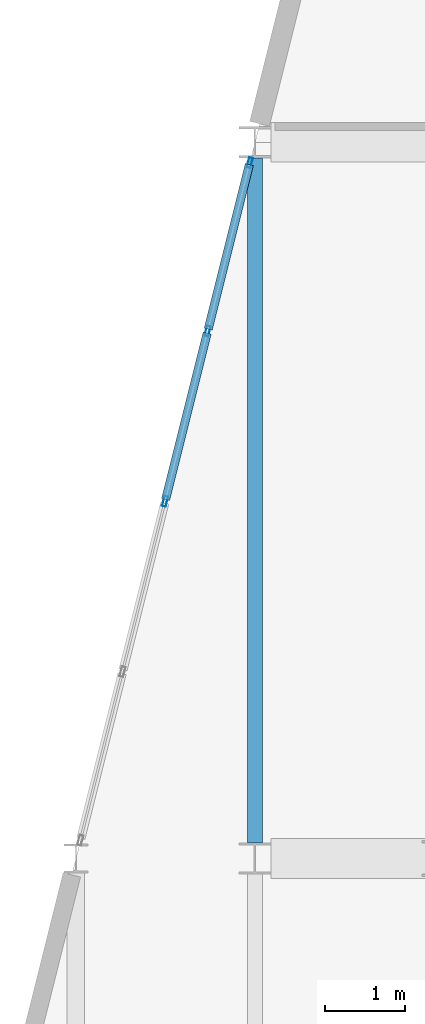
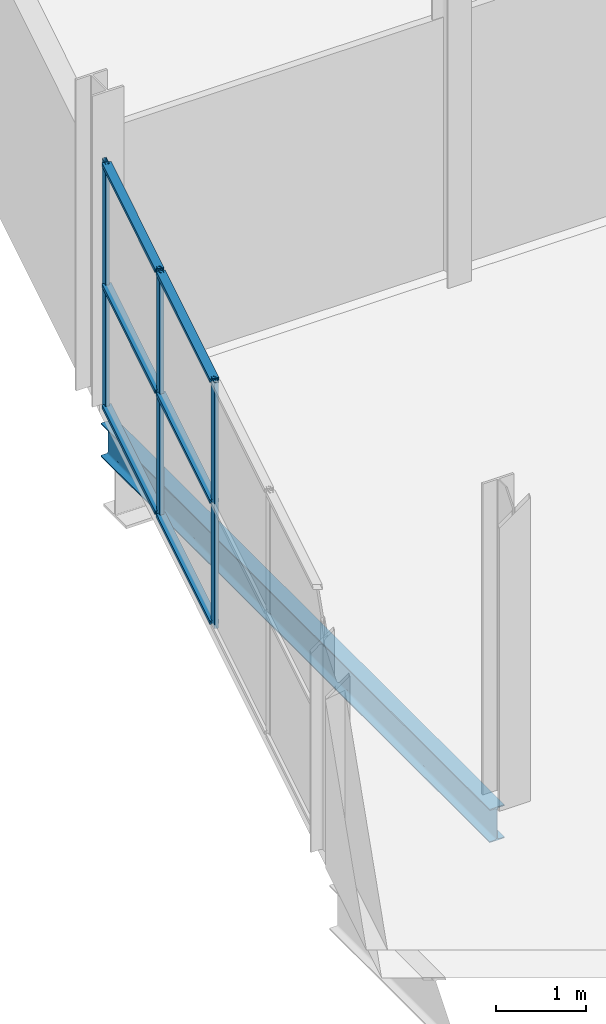
# One storey, part 58 of 135: 9 members, 1 beam, 1 element without a shape of its own.
"""IFC4 building model written with IfcOpenShell, lengths in metres."""

from ifc_helpers import new_model, si_unit, direction, frame, origin, origin_2d, place, context, subcontext, project, spatial, hollow_rectangle, i_section, extrude, material, layer, layer_set, material_profile, profile_set, type_object, element, aggregate, save


model = new_model("IFC4")

# Units and contexts
model_context = context("Model", 3, precision=1e-05, world=origin(), true_north=direction((0.0, 1.0)))
body_context = subcontext(model_context, "Body", "Model", "MODEL_VIEW")
ifc_project = project(units=[si_unit("LENGTHUNIT", "METRE"), si_unit("AREAUNIT", "SQUARE_METRE"), si_unit("VOLUMEUNIT", "CUBIC_METRE"), si_unit("PLANEANGLEUNIT", "RADIAN"), si_unit("MASSUNIT", "GRAM", prefix="KILO")], contexts=[model_context])

# Site, building, storey
site_placement = place(None, origin())
site = spatial("IfcSite", under=ifc_project, at=site_placement, CompositionType="ELEMENT")
building_placement = place(site_placement, origin())
building = spatial("IfcBuilding", under=site, at=building_placement, Name="Deido Ridge Mobility Hub", CompositionType="ELEMENT")
storey_placement = place(building_placement, frame((0.0, 0.0, 4.199951171875)))
storey = spatial("IfcBuildingStorey", under=building, at=storey_placement, Name="L01", CompositionType="ELEMENT", Elevation=4.199951171875)

# Beam
ifc_material_1 = material(Name="Steel S355J2 EN 10025-2", Category="steel")
ifc_material_profile_1 = material_profile(ifc_material_1, i_section(OverallWidth=0.18994140625, OverallDepth=0.449951171875, WebThickness=0.009521484375, FlangeThickness=0.0146484375, FilletRadius=0.02099609375, at=origin_2d()), Name="IPE 450")
ifc_profile_set_1 = profile_set([ifc_material_profile_1], Name="Steel S355J2 EN 10025-2")
beam_type = type_object("IfcBeamType", Name="BM-IPE450", PredefinedType="BEAM", material=ifc_profile_set_1)
beam_placement = place(storey_placement, frame((126.0, 27.196533203125, -0.474853515625), z_axis=(0.0, 1.0, 0.0), x_axis=(-1.0, 0.0, 0.0)))
element("IfcBeam", 1, at=beam_placement, inside=storey, type_object=beam_type, Name="Floor beam B4", PredefinedType="BEAM", context=body_context, shape_type="SweptSolid", body=[
    extrude(i_section(OverallWidth=0.18994140625, OverallDepth=0.449951171875, WebThickness=0.009521484375, FlangeThickness=0.0146484375, FilletRadius=0.02099609375, at=origin_2d()), origin(), (0.0, 0.0, 1.0), 8.60693359375),
])

# Curtain wall, members
ifc_material_2 = material(Name="Anodised aluminium EN AW-6063 T6", Category="aluminium")
ifc_layer = layer(ifc_material_2, 0.179931640625, Name="Anodised aluminium EN AW-6063 T6")
ifc_layer_set = layer_set([ifc_layer], Name="Anodised aluminium EN AW-6063 T6")
curtain_wall_type = type_object("IfcCurtainWallType", Name="CW-UF-2", PredefinedType="USERDEFINED", material=ifc_layer_set)
curtain_wall_placement = place(storey_placement, origin())
curtain_wall = element("IfcCurtainWall", 2, at=curtain_wall_placement, inside=storey, type_object=curtain_wall_type, Name="Unitised curtain wall CW2", ObjectType="UNITISED FACADE", PredefinedType="USERDEFINED")
ifc_material_profile_2 = material_profile(ifc_material_2, hollow_rectangle(XDim=0.050048828125, YDim=0.1298828125, WallThickness=0.00390625, at=origin_2d()), Name="RHS 50x130x4")
ifc_profile_set_2 = profile_set([ifc_material_profile_2], Name="Anodised aluminium EN AW-6063 T6")
member_type_1 = type_object("IfcMemberType", Name="MEM-MUL-50X130", PredefinedType="MULLION", material=ifc_profile_set_2)
member_1_placement = place(storey_placement, frame((124.87158203125, 31.486328125, 0.0), z_axis=(0.0, 0.0, 1.0), x_axis=(-0.970143832947, 0.242530293767, 0.0)))
member_1 = element("IfcMember", 3, at=member_1_placement, type_object=member_type_1, Name="CW2 mullion 3", PredefinedType="MULLION", context=body_context, shape_type="SweptSolid", body=[
    extrude(hollow_rectangle(XDim=0.050048828125, YDim=0.1298828125, WallThickness=0.00390625, at=origin_2d()), origin(), (0.0, 0.0, 1.0), 3.320068359375),
])
member_2_placement = place(storey_placement, frame((125.40673828125, 33.627197265625, 0.0), z_axis=(0.0, 0.0, 1.0), x_axis=(-0.970143832947, 0.242530293767, 0.0)))
member_2 = element("IfcMember", 4, at=member_2_placement, type_object=member_type_1, Name="CW2 mullion 4", PredefinedType="MULLION", context=body_context, shape_type="SweptSolid", body=[
    extrude(hollow_rectangle(XDim=0.050048828125, YDim=0.1298828125, WallThickness=0.00390625, at=origin_2d()), origin(), (0.0, 0.0, 1.0), 3.320068359375),
])
member_3_placement = place(storey_placement, frame((125.93603515625, 35.743896484375, 0.0), z_axis=(0.0, 0.0, 1.0), x_axis=(-0.970143832947, 0.242530293767, 0.0)))
member_3 = element("IfcMember", 5, at=member_3_placement, type_object=member_type_1, Name="CW2 mullion 5", PredefinedType="MULLION", context=body_context, shape_type="SweptSolid", body=[
    extrude(hollow_rectangle(XDim=0.050048828125, YDim=0.1298828125, WallThickness=0.00390625, at=origin_2d()), origin(), (0.0, 0.0, 1.0), 3.320068359375),
])
ifc_material_profile_3 = material_profile(ifc_material_2, hollow_rectangle(XDim=0.10498046875, YDim=0.050048828125, WallThickness=0.00390625, at=origin_2d()), Name="RHS 105x50x4")
ifc_profile_set_3 = profile_set([ifc_material_profile_3], Name="Anodised aluminium EN AW-6063 T6")
member_type_2 = type_object("IfcMemberType", Name="MEM-TRN-105X50", PredefinedType="USERDEFINED", material=ifc_profile_set_3)
member_4_placement = place(storey_placement, frame((124.877685546875, 31.5107421875, 0.025146484375), z_axis=(0.242482352335, 0.970155816767, 0.0), x_axis=(-0.970155816767, 0.242482352335, 0.0)))
member_4 = element("IfcMember", 6, at=member_4_placement, type_object=member_type_2, Name="CW2 transom 3.1", ObjectType="TRANSOM", PredefinedType="USERDEFINED", context=body_context, shape_type="SweptSolid", body=[
    extrude(hollow_rectangle(XDim=0.10498046875, YDim=0.050048828125, WallThickness=0.00390625, at=origin_2d()), origin(), (0.0, 0.0, 1.0), 2.15673828125),
])
member_5_placement = place(storey_placement, frame((124.877685546875, 31.5107421875, 1.66015625), z_axis=(0.242482352335, 0.970155816767, 0.0), x_axis=(-0.970155816767, 0.242482352335, 0.0)))
member_5 = element("IfcMember", 7, at=member_5_placement, type_object=member_type_2, Name="CW2 transom 3.2", ObjectType="TRANSOM", PredefinedType="USERDEFINED", context=body_context, shape_type="SweptSolid", body=[
    extrude(hollow_rectangle(XDim=0.10498046875, YDim=0.050048828125, WallThickness=0.00390625, at=origin_2d()), origin(), (0.0, 0.0, 1.0), 2.15673828125),
])
member_6_placement = place(storey_placement, frame((124.877685546875, 31.5107421875, 3.295166015625), z_axis=(0.242482352335, 0.970155816767, 0.0), x_axis=(-0.970155816767, 0.242482352335, 0.0)))
member_6 = element("IfcMember", 8, at=member_6_placement, type_object=member_type_2, Name="CW2 transom 3.3", ObjectType="TRANSOM", PredefinedType="USERDEFINED", context=body_context, shape_type="SweptSolid", body=[
    extrude(hollow_rectangle(XDim=0.10498046875, YDim=0.050048828125, WallThickness=0.00390625, at=origin_2d()), origin(), (0.0, 0.0, 1.0), 2.15673828125),
])
member_7_placement = place(storey_placement, frame((125.412841796875, 33.651611328125, 0.025146484375), z_axis=(0.242589524462, 0.970129023698, 0.0), x_axis=(-0.970129023698, 0.242589524462, 0.0)))
member_7 = element("IfcMember", 9, at=member_7_placement, type_object=member_type_2, Name="CW2 transom 4.1", ObjectType="TRANSOM", PredefinedType="USERDEFINED", context=body_context, shape_type="SweptSolid", body=[
    extrude(hollow_rectangle(XDim=0.10498046875, YDim=0.050048828125, WallThickness=0.00390625, at=origin_2d()), origin(), (0.0, 0.0, 1.0), 2.131591796875),
])
member_8_placement = place(storey_placement, frame((125.412841796875, 33.651611328125, 1.66015625), z_axis=(0.242589524462, 0.970129023698, 0.0), x_axis=(-0.970129023698, 0.242589524462, 0.0)))
member_8 = element("IfcMember", 10, at=member_8_placement, type_object=member_type_2, Name="CW2 transom 4.2", ObjectType="TRANSOM", PredefinedType="USERDEFINED", context=body_context, shape_type="SweptSolid", body=[
    extrude(hollow_rectangle(XDim=0.10498046875, YDim=0.050048828125, WallThickness=0.00390625, at=origin_2d()), origin(), (0.0, 0.0, 1.0), 2.131591796875),
])
member_9_placement = place(storey_placement, frame((125.412841796875, 33.651611328125, 3.295166015625), z_axis=(0.242589524462, 0.970129023698, 0.0), x_axis=(-0.970129023698, 0.242589524462, 0.0)))
member_9 = element("IfcMember", 11, at=member_9_placement, type_object=member_type_2, Name="CW2 transom 4.3", ObjectType="TRANSOM", PredefinedType="USERDEFINED", context=body_context, shape_type="SweptSolid", body=[
    extrude(hollow_rectangle(XDim=0.10498046875, YDim=0.050048828125, WallThickness=0.00390625, at=origin_2d()), origin(), (0.0, 0.0, 1.0), 2.131591796875),
])
aggregate(curtain_wall, [member_1, member_2, member_3, member_4, member_5, member_6, member_7, member_8, member_9])

save(model, "model.ifc")
